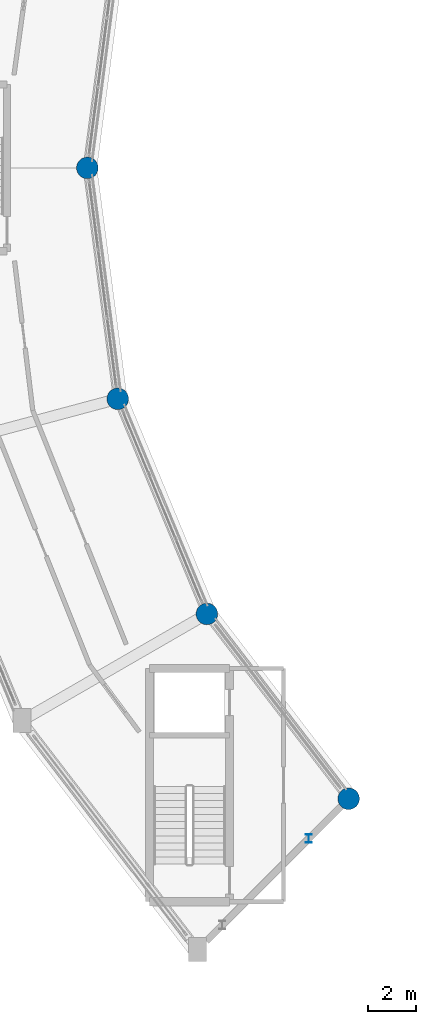
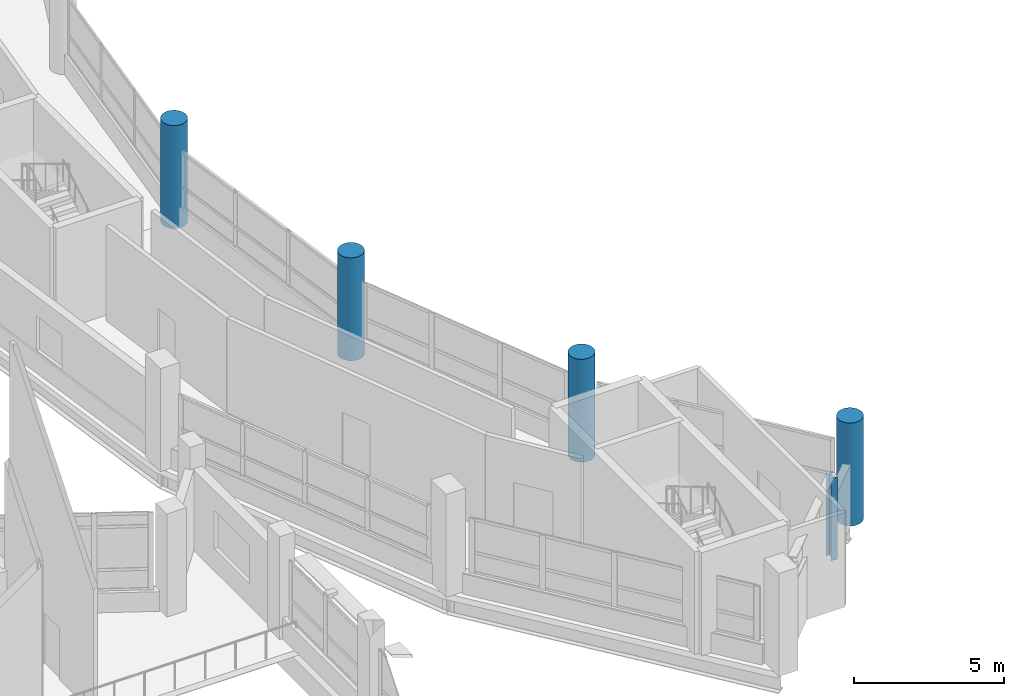
# One storey, part 4 of 128: 5 columns.
"""IFC4 building model written with IfcOpenShell, lengths in metres."""

from ifc_helpers import new_model, si_unit, direction, frame, origin, origin_2d, place, context, subcontext, project, spatial, circle, i_section, extrude, material, material_profile, profile_set, type_object, element, save


model = new_model("IFC4")

# Units and contexts
model_context = context("Model", 3, precision=1e-05, world=origin(), true_north=direction((0.0, 1.0)))
body_context = subcontext(model_context, "Body", "Model", "MODEL_VIEW")
ifc_project = project(units=[si_unit("LENGTHUNIT", "METRE"), si_unit("AREAUNIT", "SQUARE_METRE"), si_unit("VOLUMEUNIT", "CUBIC_METRE"), si_unit("PLANEANGLEUNIT", "RADIAN"), si_unit("MASSUNIT", "GRAM", prefix="KILO")], contexts=[model_context])

# Site, building, storey
site_placement = place(None, origin())
site = spatial("IfcSite", under=ifc_project, at=site_placement, CompositionType="ELEMENT")
building_placement = place(site_placement, origin())
building = spatial("IfcBuilding", under=site, at=building_placement, Name="Vespera Passage Community Centre", CompositionType="ELEMENT")
storey_placement = place(building_placement, frame((0.0, 0.0, 4.5)))
storey = spatial("IfcBuildingStorey", under=building, at=storey_placement, Name="L01", CompositionType="ELEMENT", Elevation=4.5)

# Columns
ifc_material_1 = material(Name="Concrete f'c 45 MPa", Category="concrete")
ifc_material_profile_1 = material_profile(ifc_material_1, circle(Radius=0.449951171875, at=origin_2d()), Name="RC900DIA")
ifc_profile_set_1 = profile_set([ifc_material_profile_1], Name="Concrete f'c 45 MPa")
column_type_1 = type_object("IfcColumnType", Name="COL-RC900DIAE", PredefinedType="COLUMN", material=ifc_profile_set_1)
for number, where, z_axis, x_axis, name in (
    (1, (40.800048828125, 65.5, 0.0), (0.0, 0.0, 1.0), (1.0, 0.0, 0.0), "L01 Column V4-I12"),
    (2, (42.067626953125, 55.871826171875, 0.0), (0.0, 0.0, 1.0), (1.0, 0.0, 0.0), "L01 Column V4-I13"),
    (3, (45.783935546875, 46.89990234375, 0.0), (0.0, 0.0, 1.0), (1.0, 0.0, 0.0), "L01 Column V4-I14"),
    (4, (51.695556640625, 39.195556640625, 0.0), (0.0, 0.0, 1.0), (1.0, 0.0, 0.0), "L01 Column V4-I15"),
):
    element("IfcColumn", number, at=place(storey_placement, frame(where, z_axis=z_axis, x_axis=x_axis)), inside=storey, type_object=column_type_1, Name=name, PredefinedType="COLUMN", context=body_context, shape_type="SweptSolid", body=[
        extrude(circle(Radius=0.449951171875, at=origin_2d()), origin(), (0.0, 0.0, 1.0), 4.199951171875),
    ])
ifc_material_2 = material(Name="Steel ASTM A992 Grade 50", Category="steel")
ifc_material_profile_2 = material_profile(ifc_material_2, i_section(OverallWidth=0.2548828125, OverallDepth=0.356689453125, WebThickness=0.010498046875, FlangeThickness=0.018310546875, FilletRadius=0.01513671875, at=origin_2d()), Name="W14X68")
ifc_profile_set_2 = profile_set([ifc_material_profile_2], Name="Steel ASTM A992 Grade 50")
column_type_2 = type_object("IfcColumnType", Name="COL-W14X68I", PredefinedType="COLUMN", material=ifc_profile_set_2)
column_placement = place(storey_placement, frame((50.033935546875, 37.533935546875, 0.0), z_axis=(0.0, 0.0, 1.0), x_axis=(1.0, 0.0, 0.0)))
element("IfcColumn", 5, at=column_placement, inside=storey, type_object=column_type_2, Name="L01 Column TRANC-I150", PredefinedType="COLUMN", context=body_context, shape_type="SweptSolid", body=[
    extrude(i_section(OverallWidth=0.2548828125, OverallDepth=0.356689453125, WebThickness=0.010498046875, FlangeThickness=0.018310546875, FilletRadius=0.01513671875, at=origin_2d()), origin(), (0.0, 0.0, 1.0), 3.35009765625),
])

save(model, "model.ifc")
